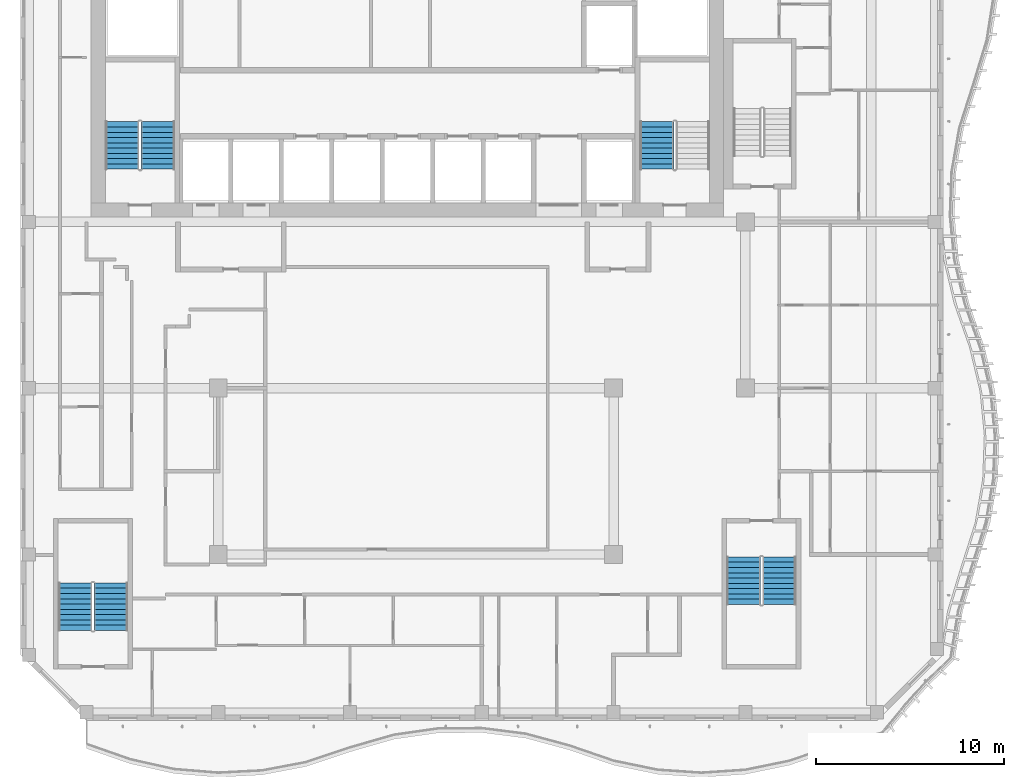
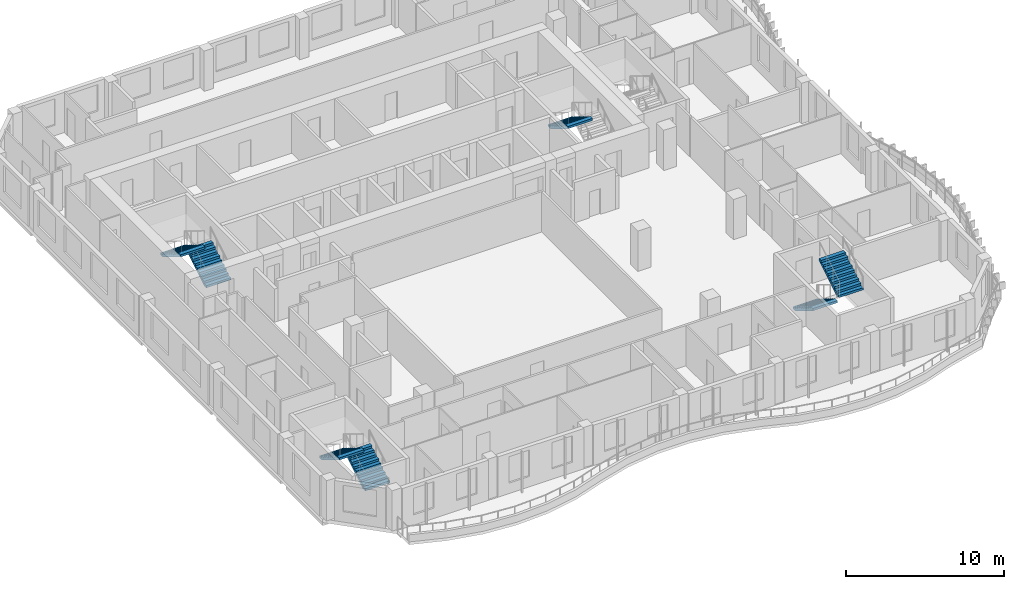
# One storey, part 10 of 19: 7 stair flights, 4 elements without a shape of their own.
"""IFC4 building model written with IfcOpenShell, lengths in metres."""

from ifc_helpers import new_model, si_unit, direction, frame, origin, place, context, subcontext, project, spatial, triangles, source, transform, mapped, material, type_object, element, aggregate, save


model = new_model("IFC4")

# Units and contexts
model_context = context("Model", 3, precision=1e-05, world=origin(), true_north=direction((0.0, 1.0)))
body_context = subcontext(model_context, "Body", "Model", "MODEL_VIEW")
ifc_project = project(units=[si_unit("LENGTHUNIT", "METRE"), si_unit("AREAUNIT", "SQUARE_METRE"), si_unit("VOLUMEUNIT", "CUBIC_METRE"), si_unit("PLANEANGLEUNIT", "RADIAN"), si_unit("MASSUNIT", "GRAM", prefix="KILO")], contexts=[model_context])

# Site, building, storey
site_placement = place(None, origin())
site = spatial("IfcSite", under=ifc_project, at=site_placement, CompositionType="ELEMENT")
building_placement = place(site_placement, origin())
building = spatial("IfcBuilding", under=site, at=building_placement, Name="Kilnfold Tower and Market Hall", CompositionType="ELEMENT")
storey_placement = place(building_placement, frame((0.0, 0.0, 245.800048828125)))
storey = spatial("IfcBuildingStorey", under=building, at=storey_placement, Name="L59", CompositionType="ELEMENT", Elevation=245.800048828125)

# Stair, stair flights
ifc_material_1 = material(Name="Concrete C40/50", Category="concrete")
stair_type = type_object("IfcStairType", Name="CORE STAIR 1800", PredefinedType="HALF_TURN_STAIR", material=ifc_material_1)
stair_1_placement = place(storey_placement, origin())
stair_1 = element("IfcStair", 1, at=stair_1_placement, inside=storey, type_object=stair_type, Name="L59 ST1", PredefinedType="HALF_TURN_STAIR")
ifc_material_2 = material(Name="Concrete C40/50", Category="concrete")
stair_flight_type = type_object("IfcStairFlightType", Name="CORE STAIR FLIGHT 1800", PredefinedType="STRAIGHT", material=ifc_material_2)
shared_shape = source(origin(), body_context, "Body", "Tessellation", [
    triangles([(0.0, 0.89990234375, 0.0), (0.0, 0.78759765625, 0.0), (0.0, 0.675048828125, 0.0), (0.0, 0.5625, 0.0), (0.0, 0.449951171875, 0.0), (0.0, 0.33740234375, 0.0), (0.0, 0.22509765625, 0.0), (0.0, 0.112548828125, 0.0), (0.0, 0.0, 0.0), (0.0, -0.112548828125, 0.0), (0.0, -0.22509765625, 0.0), (0.0, -0.33740234375, 0.0), (0.0, -0.449951171875, 0.0), (0.0, -0.5625, 0.0), (0.0, -0.675048828125, 0.0), (0.0, -0.78759765625, 0.0), (0.0, -0.89990234375, 0.0), (0.0, 0.89990234375, 0.169921875), (0.0, 0.78759765625, 0.169921875), (0.0, 0.675048828125, 0.169921875), (0.0, 0.5625, 0.169921875), (0.0, 0.449951171875, 0.169921875), (0.0, 0.33740234375, 0.169921875), (0.0, 0.22509765625, 0.169921875), (0.0, 0.112548828125, 0.169921875), (0.0, 0.0, 0.169921875), (0.0, -0.112548828125, 0.169921875), (0.0, -0.22509765625, 0.169921875), (0.0, -0.33740234375, 0.169921875), (0.0, -0.449951171875, 0.169921875), (0.0, -0.5625, 0.169921875), (0.0, -0.675048828125, 0.169921875), (0.0, -0.78759765625, 0.169921875), (0.0, -0.89990234375, 0.169921875), (0.280029296875, 0.89990234375, 0.169921875), (0.280029296875, 0.78759765625, 0.169921875), (0.280029296875, 0.675048828125, 0.169921875), (0.280029296875, 0.5625, 0.169921875), (0.280029296875, 0.449951171875, 0.169921875), (0.280029296875, 0.33740234375, 0.169921875), (0.280029296875, 0.22509765625, 0.169921875), (0.280029296875, 0.112548828125, 0.169921875), (0.280029296875, 0.0, 0.169921875), (0.280029296875, -0.112548828125, 0.169921875), (0.280029296875, -0.22509765625, 0.169921875), (0.280029296875, -0.33740234375, 0.169921875), (0.280029296875, -0.449951171875, 0.169921875), (0.280029296875, -0.5625, 0.169921875), (0.280029296875, -0.675048828125, 0.169921875), (0.280029296875, -0.78759765625, 0.169921875), (0.280029296875, -0.89990234375, 0.169921875), (0.280029296875, 0.89990234375, 0.340087890625), (0.280029296875, 0.78759765625, 0.340087890625), (0.280029296875, 0.675048828125, 0.340087890625), (0.280029296875, 0.5625, 0.340087890625), (0.280029296875, 0.449951171875, 0.340087890625), (0.280029296875, 0.33740234375, 0.340087890625), (0.280029296875, 0.22509765625, 0.340087890625), (0.280029296875, 0.112548828125, 0.340087890625), (0.280029296875, 0.0, 0.340087890625), (0.280029296875, -0.112548828125, 0.340087890625), (0.280029296875, -0.22509765625, 0.340087890625), (0.280029296875, -0.33740234375, 0.340087890625), (0.280029296875, -0.449951171875, 0.340087890625), (0.280029296875, -0.5625, 0.340087890625), (0.280029296875, -0.675048828125, 0.340087890625), (0.280029296875, -0.78759765625, 0.340087890625), (0.280029296875, -0.89990234375, 0.340087890625), (0.56005859375, 0.89990234375, 0.340087890625), (0.56005859375, 0.78759765625, 0.340087890625), (0.56005859375, 0.675048828125, 0.340087890625), (0.56005859375, 0.5625, 0.340087890625), (0.56005859375, 0.449951171875, 0.340087890625), (0.56005859375, 0.33740234375, 0.340087890625), (0.56005859375, 0.22509765625, 0.340087890625), (0.56005859375, 0.112548828125, 0.340087890625), (0.56005859375, 0.0, 0.340087890625), (0.56005859375, -0.112548828125, 0.340087890625), (0.56005859375, -0.22509765625, 0.340087890625), (0.56005859375, -0.33740234375, 0.340087890625), (0.56005859375, -0.449951171875, 0.340087890625), (0.56005859375, -0.5625, 0.340087890625), (0.56005859375, -0.675048828125, 0.340087890625), (0.56005859375, -0.78759765625, 0.340087890625), (0.56005859375, -0.89990234375, 0.340087890625), (0.56005859375, 0.89990234375, 0.510009765625), (0.56005859375, 0.78759765625, 0.510009765625), (0.56005859375, 0.675048828125, 0.510009765625), (0.56005859375, 0.5625, 0.510009765625), (0.56005859375, 0.449951171875, 0.510009765625), (0.56005859375, 0.33740234375, 0.510009765625), (0.56005859375, 0.22509765625, 0.510009765625), (0.56005859375, 0.112548828125, 0.510009765625), (0.56005859375, 0.0, 0.510009765625), (0.56005859375, -0.112548828125, 0.510009765625), (0.56005859375, -0.22509765625, 0.510009765625), (0.56005859375, -0.33740234375, 0.510009765625), (0.56005859375, -0.449951171875, 0.510009765625), (0.56005859375, -0.5625, 0.510009765625), (0.56005859375, -0.675048828125, 0.510009765625), (0.56005859375, -0.78759765625, 0.510009765625), (0.56005859375, -0.89990234375, 0.510009765625), (0.840087890625, 0.89990234375, 0.510009765625), (0.840087890625, 0.78759765625, 0.510009765625), (0.840087890625, 0.675048828125, 0.510009765625), (0.840087890625, 0.5625, 0.510009765625), (0.840087890625, 0.449951171875, 0.510009765625), (0.840087890625, 0.33740234375, 0.510009765625), (0.840087890625, 0.22509765625, 0.510009765625), (0.840087890625, 0.112548828125, 0.510009765625), (0.840087890625, 0.0, 0.510009765625), (0.840087890625, -0.112548828125, 0.510009765625), (0.840087890625, -0.22509765625, 0.510009765625), (0.840087890625, -0.33740234375, 0.510009765625), (0.840087890625, -0.449951171875, 0.510009765625), (0.840087890625, -0.5625, 0.510009765625), (0.840087890625, -0.675048828125, 0.510009765625), (0.840087890625, -0.78759765625, 0.510009765625), (0.840087890625, -0.89990234375, 0.510009765625), (0.840087890625, 0.89990234375, 0.679931640625), (0.840087890625, 0.78759765625, 0.679931640625), (0.840087890625, 0.675048828125, 0.679931640625), (0.840087890625, 0.5625, 0.679931640625), (0.840087890625, 0.449951171875, 0.679931640625), (0.840087890625, 0.33740234375, 0.679931640625), (0.840087890625, 0.22509765625, 0.679931640625), (0.840087890625, 0.112548828125, 0.679931640625), (0.840087890625, 0.0, 0.679931640625), (0.840087890625, -0.112548828125, 0.679931640625), (0.840087890625, -0.22509765625, 0.679931640625), (0.840087890625, -0.33740234375, 0.679931640625), (0.840087890625, -0.449951171875, 0.679931640625), (0.840087890625, -0.5625, 0.679931640625), (0.840087890625, -0.675048828125, 0.679931640625), (0.840087890625, -0.78759765625, 0.679931640625), (0.840087890625, -0.89990234375, 0.679931640625), (1.1201171875, 0.89990234375, 0.679931640625), (1.1201171875, 0.78759765625, 0.679931640625), (1.1201171875, 0.675048828125, 0.679931640625), (1.1201171875, 0.5625, 0.679931640625), (1.1201171875, 0.449951171875, 0.679931640625), (1.1201171875, 0.33740234375, 0.679931640625), (1.1201171875, 0.22509765625, 0.679931640625), (1.1201171875, 0.112548828125, 0.679931640625), (1.1201171875, 0.0, 0.679931640625), (1.1201171875, -0.112548828125, 0.679931640625), (1.1201171875, -0.22509765625, 0.679931640625), (1.1201171875, -0.33740234375, 0.679931640625), (1.1201171875, -0.449951171875, 0.679931640625), (1.1201171875, -0.5625, 0.679931640625), (1.1201171875, -0.675048828125, 0.679931640625), (1.1201171875, -0.78759765625, 0.679931640625), (1.1201171875, -0.89990234375, 0.679931640625), (1.1201171875, 0.89990234375, 0.85009765625), (1.1201171875, 0.78759765625, 0.85009765625), (1.1201171875, 0.675048828125, 0.85009765625), (1.1201171875, 0.5625, 0.85009765625), (1.1201171875, 0.449951171875, 0.85009765625), (1.1201171875, 0.33740234375, 0.85009765625), (1.1201171875, 0.22509765625, 0.85009765625), (1.1201171875, 0.112548828125, 0.85009765625), (1.1201171875, 0.0, 0.85009765625), (1.1201171875, -0.112548828125, 0.85009765625), (1.1201171875, -0.22509765625, 0.85009765625), (1.1201171875, -0.33740234375, 0.85009765625), (1.1201171875, -0.449951171875, 0.85009765625), (1.1201171875, -0.5625, 0.85009765625), (1.1201171875, -0.675048828125, 0.85009765625), (1.1201171875, -0.78759765625, 0.85009765625), (1.1201171875, -0.89990234375, 0.85009765625), (1.39990234375, 0.89990234375, 0.85009765625), (1.39990234375, 0.78759765625, 0.85009765625), (1.39990234375, 0.675048828125, 0.85009765625), (1.39990234375, 0.5625, 0.85009765625), (1.39990234375, 0.449951171875, 0.85009765625), (1.39990234375, 0.33740234375, 0.85009765625), (1.39990234375, 0.22509765625, 0.85009765625), (1.39990234375, 0.112548828125, 0.85009765625), (1.39990234375, 0.0, 0.85009765625), (1.39990234375, -0.112548828125, 0.85009765625), (1.39990234375, -0.22509765625, 0.85009765625), (1.39990234375, -0.33740234375, 0.85009765625), (1.39990234375, -0.449951171875, 0.85009765625), (1.39990234375, -0.5625, 0.85009765625), (1.39990234375, -0.675048828125, 0.85009765625), (1.39990234375, -0.78759765625, 0.85009765625), (1.39990234375, -0.89990234375, 0.85009765625), (1.39990234375, 0.89990234375, 1.02001953125), (1.39990234375, 0.78759765625, 1.02001953125), (1.39990234375, 0.675048828125, 1.02001953125), (1.39990234375, 0.5625, 1.02001953125), (1.39990234375, 0.449951171875, 1.02001953125), (1.39990234375, 0.33740234375, 1.02001953125), (1.39990234375, 0.22509765625, 1.02001953125), (1.39990234375, 0.112548828125, 1.02001953125), (1.39990234375, 0.0, 1.02001953125), (1.39990234375, -0.112548828125, 1.02001953125), (1.39990234375, -0.22509765625, 1.02001953125), (1.39990234375, -0.33740234375, 1.02001953125), (1.39990234375, -0.449951171875, 1.02001953125), (1.39990234375, -0.5625, 1.02001953125), (1.39990234375, -0.675048828125, 1.02001953125), (1.39990234375, -0.78759765625, 1.02001953125), (1.39990234375, -0.89990234375, 1.02001953125), (1.679931640625, 0.89990234375, 1.02001953125), (1.679931640625, 0.78759765625, 1.02001953125), (1.679931640625, 0.675048828125, 1.02001953125), (1.679931640625, 0.5625, 1.02001953125), (1.679931640625, 0.449951171875, 1.02001953125), (1.679931640625, 0.33740234375, 1.02001953125), (1.679931640625, 0.22509765625, 1.02001953125), (1.679931640625, 0.112548828125, 1.02001953125), (1.679931640625, 0.0, 1.02001953125), (1.679931640625, -0.112548828125, 1.02001953125), (1.679931640625, -0.22509765625, 1.02001953125), (1.679931640625, -0.33740234375, 1.02001953125), (1.679931640625, -0.449951171875, 1.02001953125), (1.679931640625, -0.5625, 1.02001953125), (1.679931640625, -0.675048828125, 1.02001953125), (1.679931640625, -0.78759765625, 1.02001953125), (1.679931640625, -0.89990234375, 1.02001953125), (1.679931640625, 0.89990234375, 1.18994140625), (1.679931640625, 0.78759765625, 1.18994140625), (1.679931640625, 0.675048828125, 1.18994140625), (1.679931640625, 0.5625, 1.18994140625), (1.679931640625, 0.449951171875, 1.18994140625), (1.679931640625, 0.33740234375, 1.18994140625), (1.679931640625, 0.22509765625, 1.18994140625), (1.679931640625, 0.112548828125, 1.18994140625), (1.679931640625, 0.0, 1.18994140625), (1.679931640625, -0.112548828125, 1.18994140625), (1.679931640625, -0.22509765625, 1.18994140625), (1.679931640625, -0.33740234375, 1.18994140625), (1.679931640625, -0.449951171875, 1.18994140625), (1.679931640625, -0.5625, 1.18994140625), (1.679931640625, -0.675048828125, 1.18994140625), (1.679931640625, -0.78759765625, 1.18994140625), (1.679931640625, -0.89990234375, 1.18994140625), (1.9599609375, 0.89990234375, 1.18994140625), (1.9599609375, 0.78759765625, 1.18994140625), (1.9599609375, 0.675048828125, 1.18994140625), (1.9599609375, 0.5625, 1.18994140625), (1.9599609375, 0.449951171875, 1.18994140625), (1.9599609375, 0.33740234375, 1.18994140625), (1.9599609375, 0.22509765625, 1.18994140625), (1.9599609375, 0.112548828125, 1.18994140625), (1.9599609375, 0.0, 1.18994140625), (1.9599609375, -0.112548828125, 1.18994140625), (1.9599609375, -0.22509765625, 1.18994140625), (1.9599609375, -0.33740234375, 1.18994140625), (1.9599609375, -0.449951171875, 1.18994140625), (1.9599609375, -0.5625, 1.18994140625), (1.9599609375, -0.675048828125, 1.18994140625), (1.9599609375, -0.78759765625, 1.18994140625), (1.9599609375, -0.89990234375, 1.18994140625), (1.9599609375, 0.89990234375, 1.360107421875), (1.9599609375, 0.78759765625, 1.360107421875), (1.9599609375, 0.675048828125, 1.360107421875), (1.9599609375, 0.5625, 1.360107421875), (1.9599609375, 0.449951171875, 1.360107421875), (1.9599609375, 0.33740234375, 1.360107421875), (1.9599609375, 0.22509765625, 1.360107421875), (1.9599609375, 0.112548828125, 1.360107421875), (1.9599609375, 0.0, 1.360107421875), (1.9599609375, -0.112548828125, 1.360107421875), (1.9599609375, -0.22509765625, 1.360107421875), (1.9599609375, -0.33740234375, 1.360107421875), (1.9599609375, -0.449951171875, 1.360107421875), (1.9599609375, -0.5625, 1.360107421875), (1.9599609375, -0.675048828125, 1.360107421875), (1.9599609375, -0.78759765625, 1.360107421875), (1.9599609375, -0.89990234375, 1.360107421875), (2.239990234375, 0.89990234375, 1.360107421875), (2.239990234375, 0.78759765625, 1.360107421875), (2.239990234375, 0.675048828125, 1.360107421875), (2.239990234375, 0.5625, 1.360107421875), (2.239990234375, 0.449951171875, 1.360107421875), (2.239990234375, 0.33740234375, 1.360107421875), (2.239990234375, 0.22509765625, 1.360107421875), (2.239990234375, 0.112548828125, 1.360107421875), (2.239990234375, 0.0, 1.360107421875), (2.239990234375, -0.112548828125, 1.360107421875), (2.239990234375, -0.22509765625, 1.360107421875), (2.239990234375, -0.33740234375, 1.360107421875), (2.239990234375, -0.449951171875, 1.360107421875), (2.239990234375, -0.5625, 1.360107421875), (2.239990234375, -0.675048828125, 1.360107421875), (2.239990234375, -0.78759765625, 1.360107421875), (2.239990234375, -0.89990234375, 1.360107421875), (2.239990234375, 0.89990234375, 1.530029296875), (2.239990234375, 0.78759765625, 1.530029296875), (2.239990234375, 0.675048828125, 1.530029296875), (2.239990234375, 0.5625, 1.530029296875), (2.239990234375, 0.449951171875, 1.530029296875), (2.239990234375, 0.33740234375, 1.530029296875), (2.239990234375, 0.22509765625, 1.530029296875), (2.239990234375, 0.112548828125, 1.530029296875), (2.239990234375, 0.0, 1.530029296875), (2.239990234375, -0.112548828125, 1.530029296875), (2.239990234375, -0.22509765625, 1.530029296875), (2.239990234375, -0.33740234375, 1.530029296875), (2.239990234375, -0.449951171875, 1.530029296875), (2.239990234375, -0.5625, 1.530029296875), (2.239990234375, -0.675048828125, 1.530029296875), (2.239990234375, -0.78759765625, 1.530029296875), (2.239990234375, -0.89990234375, 1.530029296875), (2.52001953125, 0.89990234375, 1.530029296875), (2.52001953125, 0.78759765625, 1.530029296875), (2.52001953125, 0.675048828125, 1.530029296875), (2.52001953125, 0.5625, 1.530029296875), (2.52001953125, 0.449951171875, 1.530029296875), (2.52001953125, 0.33740234375, 1.530029296875), (2.52001953125, 0.22509765625, 1.530029296875), (2.52001953125, 0.112548828125, 1.530029296875), (2.52001953125, 0.0, 1.530029296875), (2.52001953125, -0.112548828125, 1.530029296875), (2.52001953125, -0.22509765625, 1.530029296875), (2.52001953125, -0.33740234375, 1.530029296875), (2.52001953125, -0.449951171875, 1.530029296875), (2.52001953125, -0.5625, 1.530029296875), (2.52001953125, -0.675048828125, 1.530029296875), (2.52001953125, -0.78759765625, 1.530029296875), (2.52001953125, -0.89990234375, 1.530029296875), (2.52001953125, 0.89990234375, 1.354736328125), (2.52001953125, 0.78759765625, 1.354736328125), (2.52001953125, 0.675048828125, 1.354736328125), (2.52001953125, 0.5625, 1.354736328125), (2.52001953125, 0.449951171875, 1.354736328125), (2.52001953125, 0.33740234375, 1.354736328125), (2.52001953125, 0.22509765625, 1.354736328125), (2.52001953125, 0.112548828125, 1.354736328125), (2.52001953125, 0.0, 1.354736328125), (2.52001953125, -0.112548828125, 1.354736328125), (2.52001953125, -0.22509765625, 1.354736328125), (2.52001953125, -0.33740234375, 1.354736328125), (2.52001953125, -0.449951171875, 1.354736328125), (2.52001953125, -0.5625, 1.354736328125), (2.52001953125, -0.675048828125, 1.354736328125), (2.52001953125, -0.78759765625, 1.354736328125), (2.52001953125, -0.89990234375, 1.354736328125), (0.288818359375, 0.89990234375, 0.0), (0.288818359375, 0.78759765625, 0.0), (0.288818359375, 0.675048828125, 0.0), (0.288818359375, 0.5625, 0.0), (0.288818359375, 0.449951171875, 0.0), (0.288818359375, 0.33740234375, 0.0), (0.288818359375, 0.22509765625, 0.0), (0.288818359375, 0.112548828125, 0.0), (0.288818359375, 0.0, 0.0), (0.288818359375, -0.112548828125, 0.0), (0.288818359375, -0.22509765625, 0.0), (0.288818359375, -0.33740234375, 0.0), (0.288818359375, -0.449951171875, 0.0), (0.288818359375, -0.5625, 0.0), (0.288818359375, -0.675048828125, 0.0), (0.288818359375, -0.78759765625, 0.0), (0.288818359375, -0.89990234375, 0.0)], [[1, 324, 341], [17, 357, 340], [324, 290, 307], [340, 323, 306], [324, 273, 290], [340, 306, 289], [324, 256, 273], [340, 289, 272], [324, 239, 256], [340, 272, 255], [239, 205, 222], [255, 238, 221], [324, 205, 239], [340, 255, 221], [205, 171, 188], [221, 204, 187], [324, 171, 205], [340, 221, 187], [171, 137, 154], [187, 170, 153], [324, 137, 171], [340, 187, 153], [137, 103, 120], [153, 136, 119], [324, 103, 137], [340, 153, 119], [103, 69, 86], [119, 102, 85], [324, 69, 103], [340, 119, 85], [69, 35, 52], [85, 68, 51], [324, 35, 69], [340, 85, 51], [1, 35, 324], [17, 340, 51], [35, 1, 18], [51, 34, 17], [1, 19, 18], [1, 2, 19], [2, 20, 19], [2, 3, 20], [3, 21, 20], [3, 4, 21], [4, 22, 21], [4, 5, 22], [5, 23, 22], [5, 6, 23], [6, 24, 23], [6, 7, 24], [7, 25, 24], [7, 8, 25], [8, 26, 25], [8, 9, 26], [9, 27, 26], [9, 10, 27], [10, 28, 27], [10, 11, 28], [11, 29, 28], [11, 12, 29], [12, 30, 29], [12, 13, 30], [13, 31, 30], [13, 14, 31], [14, 32, 31], [14, 15, 32], [15, 33, 32], [15, 16, 33], [16, 34, 33], [16, 17, 34], [18, 36, 35], [18, 19, 36], [19, 37, 36], [19, 20, 37], [20, 38, 37], [20, 21, 38], [21, 39, 38], [21, 22, 39], [22, 40, 39], [22, 23, 40], [23, 41, 40], [23, 24, 41], [24, 42, 41], [24, 25, 42], [25, 43, 42], [25, 26, 43], [26, 44, 43], [26, 27, 44], [27, 45, 44], [27, 28, 45], [28, 46, 45], [28, 29, 46], [29, 47, 46], [29, 30, 47], [30, 48, 47], [30, 31, 48], [31, 49, 48], [31, 32, 49], [32, 50, 49], [32, 33, 50], [33, 51, 50], [33, 34, 51], [35, 53, 52], [35, 36, 53], [36, 54, 53], [36, 37, 54], [37, 55, 54], [37, 38, 55], [38, 56, 55], [38, 39, 56], [39, 57, 56], [39, 40, 57], [40, 58, 57], [40, 41, 58], [41, 59, 58], [41, 42, 59], [42, 60, 59], [42, 43, 60], [43, 61, 60], [43, 44, 61], [44, 62, 61], [44, 45, 62], [45, 63, 62], [45, 46, 63], [46, 64, 63], [46, 47, 64], [47, 65, 64], [47, 48, 65], [48, 66, 65], [48, 49, 66], [49, 67, 66], [49, 50, 67], [50, 68, 67], [50, 51, 68], [52, 70, 69], [52, 53, 70], [53, 71, 70], [53, 54, 71], [54, 72, 71], [54, 55, 72], [55, 73, 72], [55, 56, 73], [56, 74, 73], [56, 57, 74], [57, 75, 74], [57, 58, 75], [58, 76, 75], [58, 59, 76], [59, 77, 76], [59, 60, 77], [60, 78, 77], [60, 61, 78], [61, 79, 78], [61, 62, 79], [62, 80, 79], [62, 63, 80], [63, 81, 80], [63, 64, 81], [64, 82, 81], [64, 65, 82], [65, 83, 82], [65, 66, 83], [66, 84, 83], [66, 67, 84], [67, 85, 84], [67, 68, 85], [69, 87, 86], [69, 70, 87], [70, 88, 87], [70, 71, 88], [71, 89, 88], [71, 72, 89], [72, 90, 89], [72, 73, 90], [73, 91, 90], [73, 74, 91], [74, 92, 91], [74, 75, 92], [75, 93, 92], [75, 76, 93], [76, 94, 93], [76, 77, 94], [77, 95, 94], [77, 78, 95], [78, 96, 95], [78, 79, 96], [79, 97, 96], [79, 80, 97], [80, 98, 97], [80, 81, 98], [81, 99, 98], [81, 82, 99], [82, 100, 99], [82, 83, 100], [83, 101, 100], [83, 84, 101], [84, 102, 101], [84, 85, 102], [86, 104, 103], [86, 87, 104], [87, 105, 104], [87, 88, 105], [88, 106, 105], [88, 89, 106], [89, 107, 106], [89, 90, 107], [90, 108, 107], [90, 91, 108], [91, 109, 108], [91, 92, 109], [92, 110, 109], [92, 93, 110], [93, 111, 110], [93, 94, 111], [94, 112, 111], [94, 95, 112], [95, 113, 112], [95, 96, 113], [96, 114, 113], [96, 97, 114], [97, 115, 114], [97, 98, 115], [98, 116, 115], [98, 99, 116], [99, 117, 116], [99, 100, 117], [100, 118, 117], [100, 101, 118], [101, 119, 118], [101, 102, 119], [103, 121, 120], [103, 104, 121], [104, 122, 121], [104, 105, 122], [105, 123, 122], [105, 106, 123], [106, 124, 123], [106, 107, 124], [107, 125, 124], [107, 108, 125], [108, 126, 125], [108, 109, 126], [109, 127, 126], [109, 110, 127], [110, 128, 127], [110, 111, 128], [111, 129, 128], [111, 112, 129], [112, 130, 129], [112, 113, 130], [113, 131, 130], [113, 114, 131], [114, 132, 131], [114, 115, 132], [115, 133, 132], [115, 116, 133], [116, 134, 133], [116, 117, 134], [117, 135, 134], [117, 118, 135], [118, 136, 135], [118, 119, 136], [120, 138, 137], [120, 121, 138], [121, 139, 138], [121, 122, 139], [122, 140, 139], [122, 123, 140], [123, 141, 140], [123, 124, 141], [124, 142, 141], [124, 125, 142], [125, 143, 142], [125, 126, 143], [126, 144, 143], [126, 127, 144], [127, 145, 144], [127, 128, 145], [128, 146, 145], [128, 129, 146], [129, 147, 146], [129, 130, 147], [130, 148, 147], [130, 131, 148], [131, 149, 148], [131, 132, 149], [132, 150, 149], [132, 133, 150], [133, 151, 150], [133, 134, 151], [134, 152, 151], [134, 135, 152], [135, 153, 152], [135, 136, 153], [137, 155, 154], [137, 138, 155], [138, 156, 155], [138, 139, 156], [139, 157, 156], [139, 140, 157], [140, 158, 157], [140, 141, 158], [141, 159, 158], [141, 142, 159], [142, 160, 159], [142, 143, 160], [143, 161, 160], [143, 144, 161], [144, 162, 161], [144, 145, 162], [145, 163, 162], [145, 146, 163], [146, 164, 163], [146, 147, 164], [147, 165, 164], [147, 148, 165], [148, 166, 165], [148, 149, 166], [149, 167, 166], [149, 150, 167], [150, 168, 167], [150, 151, 168], [151, 169, 168], [151, 152, 169], [152, 170, 169], [152, 153, 170], [154, 172, 171], [154, 155, 172], [155, 173, 172], [155, 156, 173], [156, 174, 173], [156, 157, 174], [157, 175, 174], [157, 158, 175], [158, 176, 175], [158, 159, 176], [159, 177, 176], [159, 160, 177], [160, 178, 177], [160, 161, 178], [161, 179, 178], [161, 162, 179], [162, 180, 179], [162, 163, 180], [163, 181, 180], [163, 164, 181], [164, 182, 181], [164, 165, 182], [165, 183, 182], [165, 166, 183], [166, 184, 183], [166, 167, 184], [167, 185, 184], [167, 168, 185], [168, 186, 185], [168, 169, 186], [169, 187, 186], [169, 170, 187], [171, 189, 188], [171, 172, 189], [172, 190, 189], [172, 173, 190], [173, 191, 190], [173, 174, 191], [174, 192, 191], [174, 175, 192], [175, 193, 192], [175, 176, 193], [176, 194, 193], [176, 177, 194], [177, 195, 194], [177, 178, 195], [178, 196, 195], [178, 179, 196], [179, 197, 196], [179, 180, 197], [180, 198, 197], [180, 181, 198], [181, 199, 198], [181, 182, 199], [182, 200, 199], [182, 183, 200], [183, 201, 200], [183, 184, 201], [184, 202, 201], [184, 185, 202], [185, 203, 202], [185, 186, 203], [186, 204, 203], [186, 187, 204], [188, 206, 205], [188, 189, 206], [189, 207, 206], [189, 190, 207], [190, 208, 207], [190, 191, 208], [191, 209, 208], [191, 192, 209], [192, 210, 209], [192, 193, 210], [193, 211, 210], [193, 194, 211], [194, 212, 211], [194, 195, 212], [195, 213, 212], [195, 196, 213], [196, 214, 213], [196, 197, 214], [197, 215, 214], [197, 198, 215], [198, 216, 215], [198, 199, 216], [199, 217, 216], [199, 200, 217], [200, 218, 217], [200, 201, 218], [201, 219, 218], [201, 202, 219], [202, 220, 219], [202, 203, 220], [203, 221, 220], [203, 204, 221], [205, 223, 222], [205, 206, 223], [206, 224, 223], [206, 207, 224], [207, 225, 224], [207, 208, 225], [208, 226, 225], [208, 209, 226], [209, 227, 226], [209, 210, 227], [210, 228, 227], [210, 211, 228], [211, 229, 228], [211, 212, 229], [212, 230, 229], [212, 213, 230], [213, 231, 230], [213, 214, 231], [214, 232, 231], [214, 215, 232], [215, 233, 232], [215, 216, 233], [216, 234, 233], [216, 217, 234], [217, 235, 234], [217, 218, 235], [218, 236, 235], [218, 219, 236], [219, 237, 236], [219, 220, 237], [220, 238, 237], [220, 221, 238], [222, 240, 239], [222, 223, 240], [223, 241, 240], [223, 224, 241], [224, 242, 241], [224, 225, 242], [225, 243, 242], [225, 226, 243], [226, 244, 243], [226, 227, 244], [227, 245, 244], [227, 228, 245], [228, 246, 245], [228, 229, 246], [229, 247, 246], [229, 230, 247], [230, 248, 247], [230, 231, 248], [231, 249, 248], [231, 232, 249], [232, 250, 249], [232, 233, 250], [233, 251, 250], [233, 234, 251], [234, 252, 251], [234, 235, 252], [235, 253, 252], [235, 236, 253], [236, 254, 253], [236, 237, 254], [237, 255, 254], [237, 238, 255], [239, 257, 256], [239, 240, 257], [240, 258, 257], [240, 241, 258], [241, 259, 258], [241, 242, 259], [242, 260, 259], [242, 243, 260], [243, 261, 260], [243, 244, 261], [244, 262, 261], [244, 245, 262], [245, 263, 262], [245, 246, 263], [246, 264, 263], [246, 247, 264], [247, 265, 264], [247, 248, 265], [248, 266, 265], [248, 249, 266], [249, 267, 266], [249, 250, 267], [250, 268, 267], [250, 251, 268], [251, 269, 268], [251, 252, 269], [252, 270, 269], [252, 253, 270], [253, 271, 270], [253, 254, 271], [254, 272, 271], [254, 255, 272], [256, 274, 273], [256, 257, 274], [257, 275, 274], [257, 258, 275], [258, 276, 275], [258, 259, 276], [259, 277, 276], [259, 260, 277], [260, 278, 277], [260, 261, 278], [261, 279, 278], [261, 262, 279], [262, 280, 279], [262, 263, 280], [263, 281, 280], [263, 264, 281], [264, 282, 281], [264, 265, 282], [265, 283, 282], [265, 266, 283], [266, 284, 283], [266, 267, 284], [267, 285, 284], [267, 268, 285], [268, 286, 285], [268, 269, 286], [269, 287, 286], [269, 270, 287], [270, 288, 287], [270, 271, 288], [271, 289, 288], [271, 272, 289], [273, 291, 290], [273, 274, 291], [274, 292, 291], [274, 275, 292], [275, 293, 292], [275, 276, 293], [276, 294, 293], [276, 277, 294], [277, 295, 294], [277, 278, 295], [278, 296, 295], [278, 279, 296], [279, 297, 296], [279, 280, 297], [280, 298, 297], [280, 281, 298], [281, 299, 298], [281, 282, 299], [282, 300, 299], [282, 283, 300], [283, 301, 300], [283, 284, 301], [284, 302, 301], [284, 285, 302], [285, 303, 302], [285, 286, 303], [286, 304, 303], [286, 287, 304], [287, 305, 304], [287, 288, 305], [288, 306, 305], [288, 289, 306], [290, 308, 307], [290, 291, 308], [291, 309, 308], [291, 292, 309], [292, 310, 309], [292, 293, 310], [293, 311, 310], [293, 294, 311], [294, 312, 311], [294, 295, 312], [295, 313, 312], [295, 296, 313], [296, 314, 313], [296, 297, 314], [297, 315, 314], [297, 298, 315], [298, 316, 315], [298, 299, 316], [299, 317, 316], [299, 300, 317], [300, 318, 317], [300, 301, 318], [301, 319, 318], [301, 302, 319], [302, 320, 319], [302, 303, 320], [303, 321, 320], [303, 304, 321], [304, 322, 321], [304, 305, 322], [305, 323, 322], [305, 306, 323], [307, 325, 324], [307, 308, 325], [308, 326, 325], [308, 309, 326], [309, 327, 326], [309, 310, 327], [310, 328, 327], [310, 311, 328], [311, 329, 328], [311, 312, 329], [312, 330, 329], [312, 313, 330], [313, 331, 330], [313, 314, 331], [314, 332, 331], [314, 315, 332], [315, 333, 332], [315, 316, 333], [316, 334, 333], [316, 317, 334], [317, 335, 334], [317, 318, 335], [318, 336, 335], [318, 319, 336], [319, 337, 336], [319, 320, 337], [320, 338, 337], [320, 321, 338], [321, 339, 338], [321, 322, 339], [322, 340, 339], [322, 323, 340], [324, 342, 341], [324, 325, 342], [325, 343, 342], [325, 326, 343], [326, 344, 343], [326, 327, 344], [327, 345, 344], [327, 328, 345], [328, 346, 345], [328, 329, 346], [329, 347, 346], [329, 330, 347], [330, 348, 347], [330, 331, 348], [331, 349, 348], [331, 332, 349], [332, 350, 349], [332, 333, 350], [333, 351, 350], [333, 334, 351], [334, 352, 351], [334, 335, 352], [335, 353, 352], [335, 336, 353], [336, 354, 353], [336, 337, 354], [337, 355, 354], [337, 338, 355], [338, 356, 355], [338, 339, 356], [339, 357, 356], [339, 340, 357], [341, 2, 1], [341, 342, 2], [342, 3, 2], [342, 343, 3], [343, 4, 3], [343, 344, 4], [344, 5, 4], [344, 345, 5], [345, 6, 5], [345, 346, 6], [346, 7, 6], [346, 347, 7], [347, 8, 7], [347, 348, 8], [348, 9, 8], [348, 349, 9], [349, 10, 9], [349, 350, 10], [350, 11, 10], [350, 351, 11], [351, 12, 11], [351, 352, 12], [352, 13, 12], [352, 353, 13], [353, 14, 13], [353, 354, 14], [354, 15, 14], [354, 355, 15], [355, 16, 15], [355, 356, 16], [356, 17, 16], [356, 357, 17]], closed=True),
])
stair_flight_1_placement = place(storey_placement, frame((-12.199951171875, 10.800048828125, 0.0), z_axis=(0.0, 0.0, 1.0), x_axis=(0.0, 1.0, 0.0)))
stair_flight_1 = element("IfcStairFlight", 2, at=stair_flight_1_placement, type_object=stair_flight_type, Name="ST1 flight 1", NumberOfRisers=10, NumberOfTreads=9, PredefinedType="STRAIGHT", RiserHeight=0.17, TreadLength=0.28, context=body_context, shape_type="MappedRepresentation", body=[
    mapped(shared_shape, transform((0.0, 0.0, 0.0))),
])
stair_flight_2_placement = place(storey_placement, frame((-14.10009765625, 13.320068359375, 1.699951171875), z_axis=(0.0, 0.0, 1.0), x_axis=(0.0, -1.0, 0.0)))
stair_flight_2 = element("IfcStairFlight", 3, at=stair_flight_2_placement, type_object=stair_flight_type, Name="ST1 flight 2", NumberOfRisers=10, NumberOfTreads=9, PredefinedType="STRAIGHT", RiserHeight=0.17, TreadLength=0.28, context=body_context, shape_type="MappedRepresentation", body=[
    mapped(shared_shape, transform((0.0, 0.0, 0.0))),
])
aggregate(stair_1, [stair_flight_1, stair_flight_2])

# Stair, stair flight
stair_2_placement = place(storey_placement, origin())
stair_2 = element("IfcStair", 4, at=stair_2_placement, inside=storey, type_object=stair_type, Name="L59 ST2", PredefinedType="HALF_TURN_STAIR")
stair_flight_3_placement = place(storey_placement, frame((14.300048828125, 13.320068359375, 1.699951171875), z_axis=(0.0, 0.0, 1.0), x_axis=(0.0, -1.0, 0.0)))
stair_flight_3 = element("IfcStairFlight", 5, at=stair_flight_3_placement, type_object=stair_flight_type, Name="ST2 flight 2", NumberOfRisers=10, NumberOfTreads=9, PredefinedType="STRAIGHT", RiserHeight=0.17, TreadLength=0.28, context=body_context, shape_type="MappedRepresentation", body=[
    mapped(shared_shape, transform((0.0, 0.0, 0.0))),
])
aggregate(stair_2, [stair_flight_3])

# Stair, stair flights
stair_3_placement = place(storey_placement, origin())
stair_3 = element("IfcStair", 6, at=stair_3_placement, inside=storey, type_object=stair_type, Name="L59 ST3", PredefinedType="HALF_TURN_STAIR")
stair_flight_4_placement = place(storey_placement, frame((-14.699951171875, -13.699951171875, 0.0), z_axis=(0.0, 0.0, 1.0), x_axis=(0.0, 1.0, 0.0)))
stair_flight_4 = element("IfcStairFlight", 7, at=stair_flight_4_placement, type_object=stair_flight_type, Name="ST3 flight 1", NumberOfRisers=10, NumberOfTreads=9, PredefinedType="STRAIGHT", RiserHeight=0.17, TreadLength=0.28, context=body_context, shape_type="MappedRepresentation", body=[
    mapped(shared_shape, transform((0.0, 0.0, 0.0))),
])
stair_flight_5_placement = place(storey_placement, frame((-16.60009765625, -11.179931640625, 1.699951171875), z_axis=(0.0, 0.0, 1.0), x_axis=(0.0, -1.0, 0.0)))
stair_flight_5 = element("IfcStairFlight", 8, at=stair_flight_5_placement, type_object=stair_flight_type, Name="ST3 flight 2", NumberOfRisers=10, NumberOfTreads=9, PredefinedType="STRAIGHT", RiserHeight=0.17, TreadLength=0.28, context=body_context, shape_type="MappedRepresentation", body=[
    mapped(shared_shape, transform((0.0, 0.0, 0.0))),
])
aggregate(stair_3, [stair_flight_4, stair_flight_5])

stair_4_placement = place(storey_placement, origin())
stair_4 = element("IfcStair", 9, at=stair_4_placement, inside=storey, type_object=stair_type, Name="L59 ST4", PredefinedType="HALF_TURN_STAIR")
stair_flight_6_placement = place(storey_placement, frame((18.89990234375, -9.800048828125, 0.0), z_axis=(0.0, 0.0, 1.0), x_axis=(0.0, -1.0, 0.0)))
stair_flight_6 = element("IfcStairFlight", 10, at=stair_flight_6_placement, type_object=stair_flight_type, Name="ST4 flight 1", NumberOfRisers=10, NumberOfTreads=9, PredefinedType="STRAIGHT", RiserHeight=0.17, TreadLength=0.28, context=body_context, shape_type="MappedRepresentation", body=[
    mapped(shared_shape, transform((0.0, 0.0, 0.0))),
])
stair_flight_7_placement = place(storey_placement, frame((20.800048828125, -12.320068359375, 1.699951171875), z_axis=(0.0, 0.0, 1.0), x_axis=(0.0, 1.0, 0.0)))
stair_flight_7 = element("IfcStairFlight", 11, at=stair_flight_7_placement, type_object=stair_flight_type, Name="ST4 flight 2", NumberOfRisers=10, NumberOfTreads=9, PredefinedType="STRAIGHT", RiserHeight=0.17, TreadLength=0.28, context=body_context, shape_type="MappedRepresentation", body=[
    mapped(shared_shape, transform((0.0, 0.0, 0.0))),
])
aggregate(stair_4, [stair_flight_6, stair_flight_7])

save(model, "model.ifc")
